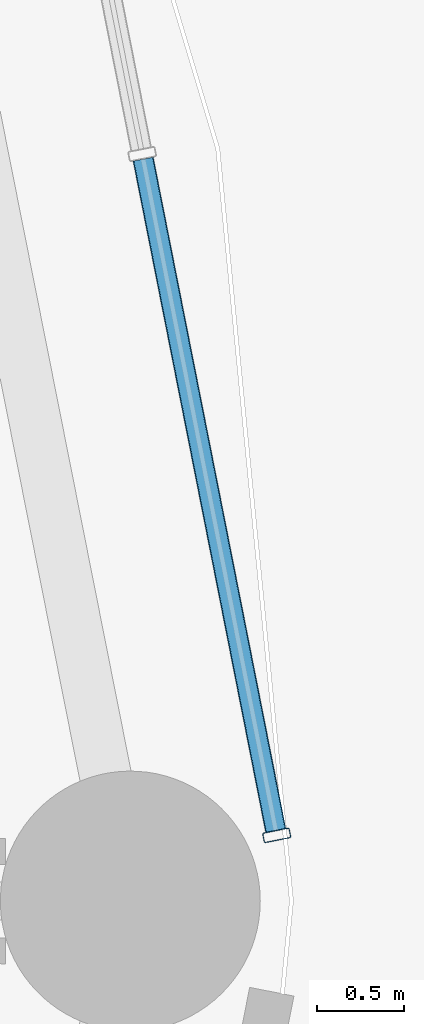
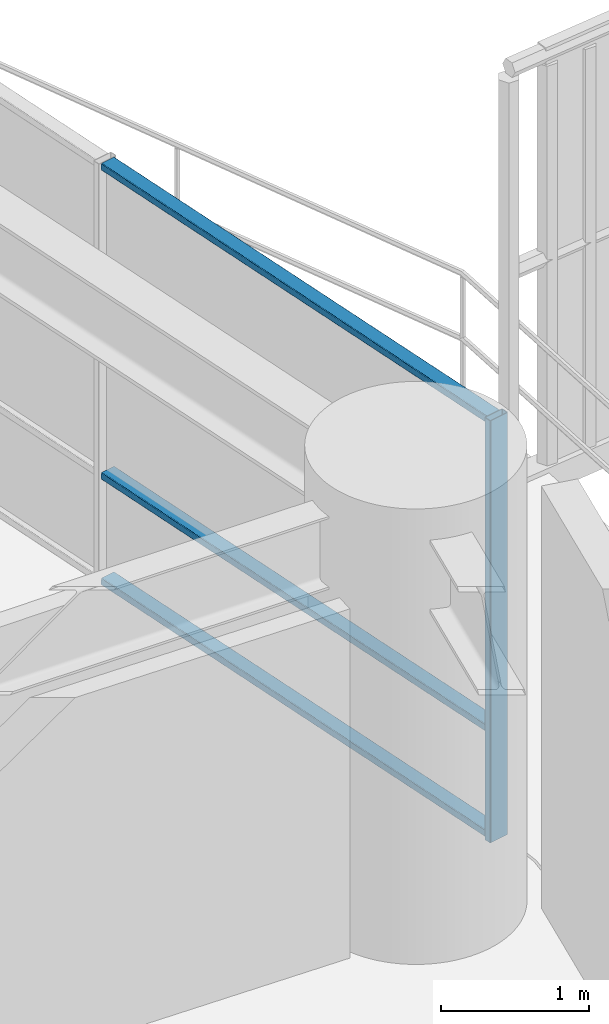
# One storey, part 14 of 34: 4 members, 1 element without a shape of its own.
"""IFC4 building model written with IfcOpenShell, lengths in metres."""

from ifc_helpers import new_model, si_unit, direction, frame, origin, origin_2d, place, context, subcontext, project, spatial, hollow_rectangle, extrude, material, layer, layer_set, material_profile, profile_set, type_object, element, aggregate, save


model = new_model("IFC4")

# Units and contexts
model_context = context("Model", 3, precision=1e-05, world=origin(), true_north=direction((0.0, 1.0)))
body_context = subcontext(model_context, "Body", "Model", "MODEL_VIEW")
ifc_project = project(units=[si_unit("LENGTHUNIT", "METRE"), si_unit("AREAUNIT", "SQUARE_METRE"), si_unit("VOLUMEUNIT", "CUBIC_METRE"), si_unit("PLANEANGLEUNIT", "RADIAN"), si_unit("MASSUNIT", "GRAM", prefix="KILO")], contexts=[model_context])

# Site, building, storey
site_placement = place(None, origin())
site = spatial("IfcSite", under=ifc_project, at=site_placement, CompositionType="ELEMENT")
building_placement = place(site_placement, origin())
building = spatial("IfcBuilding", under=site, at=building_placement, Name="Kelanora Arch Commons", CompositionType="ELEMENT")
storey_placement = place(building_placement, frame((0.0, 0.0, 30.0)))
storey = spatial("IfcBuildingStorey", under=building, at=storey_placement, Name="L07", CompositionType="ELEMENT", Elevation=30.0)

# Curtain wall, members
ifc_material_1 = material(Name="Terracotta ceramic-fritted low-E glass and aluminium", Category="masonry")
ifc_layer = layer(ifc_material_1, 0.159912109375)
ifc_layer_set = layer_set([ifc_layer], Name="Terracotta ceramic-fritted low-E glass and aluminium")
curtain_wall_type = type_object("IfcCurtainWallType", Name="CW-SYS-01", PredefinedType="NOTDEFINED", material=ifc_layer_set)
curtain_wall_placement = place(storey_placement, origin())
curtain_wall = element("IfcCurtainWall", 1, at=curtain_wall_placement, inside=storey, type_object=curtain_wall_type, Name="Unitised Curtain Wall L07-B00", PredefinedType="NOTDEFINED")
ifc_material_2 = material(Name="Powder-coated aluminium terracotta", Category="masonry")
ifc_material_profile_1 = material_profile(ifc_material_2, hollow_rectangle(XDim=0.159912109375, YDim=0.06005859375, WallThickness=0.0048828125, InnerFilletRadius=0.0048828125, OuterFilletRadius=0.010009765625, at=origin_2d()), Name="CWM160x60")
ifc_profile_set_1 = profile_set([ifc_material_profile_1], Name="Powder-coated aluminium terracotta")
member_type_1 = type_object("IfcMemberType", Name="CWM-STD", PredefinedType="MULLION", material=ifc_profile_set_1)
member_1_placement = place(storey_placement, frame((101.925048828125, 58.379150390625, 0.0), z_axis=(0.0, 0.0, 1.0), x_axis=(-0.981052110579, -0.193744048498, 0.0)))
member_1 = element("IfcMember", 2, at=member_1_placement, type_object=member_type_1, Name="CW-01 mullion 1", PredefinedType="MULLION", context=body_context, shape_type="SweptSolid", body=[
    extrude(hollow_rectangle(XDim=0.159912109375, YDim=0.06005859375, WallThickness=0.0048828125, InnerFilletRadius=0.0048828125, OuterFilletRadius=0.010009765625, at=origin_2d()), origin(), (0.0, 0.0, 1.0), 3.47509765625),
])
ifc_material_profile_2 = material_profile(ifc_material_2, hollow_rectangle(XDim=0.1201171875, YDim=0.06005859375, WallThickness=0.0048828125, InnerFilletRadius=0.0048828125, OuterFilletRadius=0.010009765625, at=origin_2d()), Name="CWT120x60")
ifc_profile_set_2 = profile_set([ifc_material_profile_2], Name="Powder-coated aluminium terracotta")
member_type_2 = type_object("IfcMemberType", Name="CWT-STD", PredefinedType="USERDEFINED", material=ifc_profile_set_2)
member_2_placement = place(storey_placement, frame((101.919189453125, 58.408447265625, 0.030029296875), z_axis=(-0.193725436624, 0.98105578598, 0.0), x_axis=(-0.98105578598, -0.193725436624, 0.0)))
member_2 = element("IfcMember", 3, at=member_2_placement, type_object=member_type_2, Name="CW-01 transom 1.1", ObjectType="TRANSOM", PredefinedType="USERDEFINED", context=body_context, shape_type="SweptSolid", body=[
    extrude(hollow_rectangle(XDim=0.1201171875, YDim=0.06005859375, WallThickness=0.0048828125, InnerFilletRadius=0.0048828125, OuterFilletRadius=0.010009765625, at=origin_2d()), origin(), (0.0, 0.0, 1.0), 3.9482421875),
])
member_3_placement = place(storey_placement, frame((101.919189453125, 58.408447265625, 0.89990234375), z_axis=(-0.193725436624, 0.98105578598, 0.0), x_axis=(-0.98105578598, -0.193725436624, 0.0)))
member_3 = element("IfcMember", 4, at=member_3_placement, type_object=member_type_2, Name="CW-01 transom 1.2", ObjectType="TRANSOM", PredefinedType="USERDEFINED", context=body_context, shape_type="SweptSolid", body=[
    extrude(hollow_rectangle(XDim=0.1201171875, YDim=0.06005859375, WallThickness=0.0048828125, InnerFilletRadius=0.0048828125, OuterFilletRadius=0.010009765625, at=origin_2d()), origin(), (0.0, 0.0, 1.0), 3.9482421875),
])
member_4_placement = place(storey_placement, frame((101.919189453125, 58.408447265625, 3.445068359375), z_axis=(-0.193725436624, 0.98105578598, 0.0), x_axis=(-0.98105578598, -0.193725436624, 0.0)))
member_4 = element("IfcMember", 5, at=member_4_placement, type_object=member_type_2, Name="CW-01 transom 1.3", ObjectType="TRANSOM", PredefinedType="USERDEFINED", context=body_context, shape_type="SweptSolid", body=[
    extrude(hollow_rectangle(XDim=0.1201171875, YDim=0.06005859375, WallThickness=0.0048828125, InnerFilletRadius=0.0048828125, OuterFilletRadius=0.010009765625, at=origin_2d()), origin(), (0.0, 0.0, 1.0), 3.9482421875),
])
aggregate(curtain_wall, [member_1, member_2, member_3, member_4])

save(model, "model.ifc")
